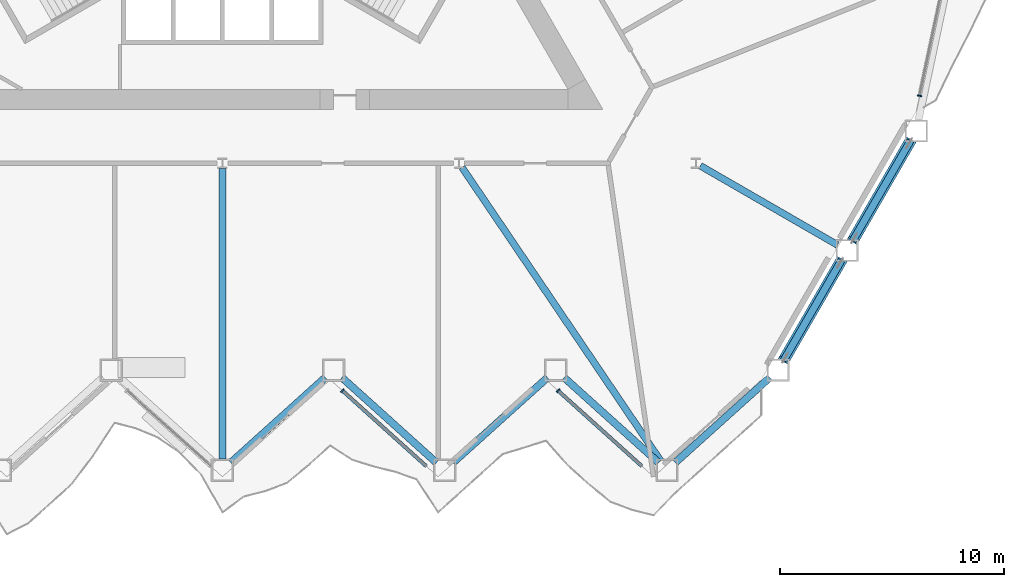
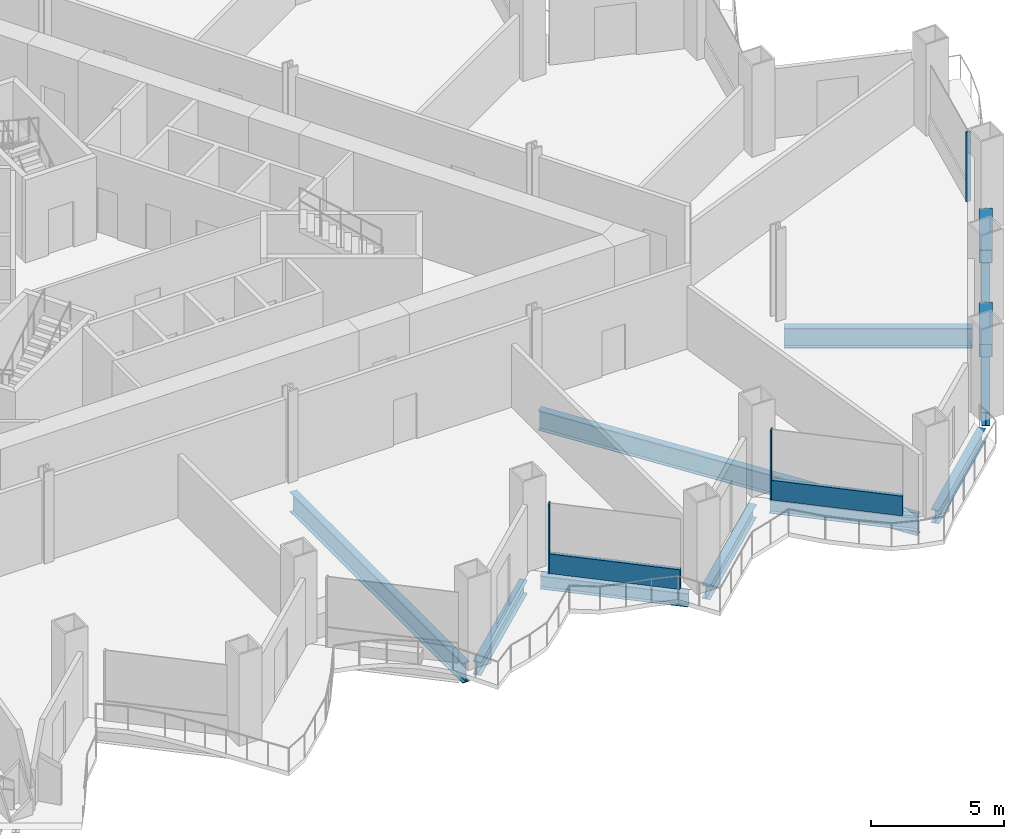
# One storey, part 4 of 20: 10 beams, 7 members, 3 elements without a shape of their own.
"""IFC4 building model written with IfcOpenShell, lengths in metres."""

from ifc_helpers import new_model, si_unit, direction, frame, origin, origin_2d, place, context, subcontext, project, spatial, rectangle, hollow_rectangle, i_section, extrude, material, layer, layer_set, material_profile, profile_set, type_object, element, aggregate, save


model = new_model("IFC4")

# Units and contexts
model_context = context("Model", 3, precision=1e-05, world=origin(), true_north=direction((0.0, 1.0)))
body_context = subcontext(model_context, "Body", "Model", "MODEL_VIEW")
ifc_project = project(units=[si_unit("LENGTHUNIT", "METRE"), si_unit("AREAUNIT", "SQUARE_METRE"), si_unit("VOLUMEUNIT", "CUBIC_METRE"), si_unit("PLANEANGLEUNIT", "RADIAN"), si_unit("MASSUNIT", "GRAM", prefix="KILO")], contexts=[model_context])

# Site, building, storey
site_placement = place(None, origin())
site = spatial("IfcSite", under=ifc_project, at=site_placement, CompositionType="ELEMENT")
building_placement = place(site_placement, origin())
building = spatial("IfcBuilding", under=site, at=building_placement, Name="Cormorant Prow Tower", CompositionType="ELEMENT")
storey_placement = place(building_placement, frame((0.0, 0.0, 34.199951171875)))
storey = spatial("IfcBuildingStorey", under=building, at=storey_placement, Name="L06", CompositionType="ELEMENT", Elevation=34.199951171875)

# Members
ifc_material_1 = material(Name="Structural steel ASTM A500 Gr C", Category="steel")
ifc_material_profile_1 = material_profile(ifc_material_1, hollow_rectangle(XDim=0.508056640625, YDim=0.508056640625, WallThickness=0.014892578125, at=origin_2d()), Name="HSS20x20x5/8")
ifc_profile_set_1 = profile_set([ifc_material_profile_1], Name="Structural steel ASTM A500 Gr C")
member_type_1 = type_object("IfcMemberType", Name="Chamfer brace HSS20x20x5/8", PredefinedType="BRACE", material=ifc_profile_set_1)
for number, where, z_axis, x_axis, name in (
    (1, (27.65576171875, -16.566162109375, 0.767333984375), (-0.475899695849, -0.824255918841, 0.306792535351), (0.866018434186, -0.500012071504, 0.0), "Chamfer brace BR1 at ESE00 L06"),
    (2, (30.74072265625, -11.222900390625, 0.767333984375), (-0.475881936113, -0.824270433724, 0.306781086395), (0.866030326616, -0.499991473309, 0.0), "Chamfer brace BR1 at ESE01 L06"),
):
    element("IfcMember", number, at=place(storey_placement, frame(where, z_axis=z_axis, x_axis=x_axis)), inside=storey, type_object=member_type_1, Name=name, PredefinedType="BRACE", context=body_context, shape_type="SweptSolid", body=[
        extrude(hollow_rectangle(XDim=0.508056640625, YDim=0.508056640625, WallThickness=0.014892578125, at=origin_2d()), origin(), (0.0, 0.0, 1.0), 5.392333984375),
    ])

# Curtain wall, member
ifc_material_2 = material(Name="Aluminium 6063-T6", Category="aluminium")
ifc_layer = layer(ifc_material_2, 0.199951171875)
ifc_layer_set = layer_set([ifc_layer], Name="Aluminium 6063-T6")
curtain_wall_type = type_object("IfcCurtainWallType", Name="Office unitised curtain wall 200", PredefinedType="NOTDEFINED", material=ifc_layer_set)
curtain_wall_1_placement = place(storey_placement, origin())
curtain_wall_1 = element("IfcCurtainWall", 3, at=curtain_wall_1_placement, inside=storey, type_object=curtain_wall_type, Name="Office curtain wall S06", PredefinedType="NOTDEFINED")
ifc_material_3 = material(Name="Aluminium 6063-T6", Category="aluminium")
ifc_material_profile_2 = material_profile(ifc_material_3, rectangle(XDim=0.199951171875, YDim=0.06005859375, at=origin_2d()), Name="Office mullion 60x200")
ifc_profile_set_2 = profile_set([ifc_material_profile_2], Name="Aluminium 6063-T6")
member_type_2 = type_object("IfcMemberType", Name="Office mullion 60x200", PredefinedType="MULLION", material=ifc_profile_set_2)
member_1_placement = place(storey_placement, frame((5.3623046875, -22.379150390625, 0.0), z_axis=(0.0, 0.0, 1.0), x_axis=(0.669130597396, 0.743144833547, 0.0)))
member_1 = element("IfcMember", 4, at=member_1_placement, type_object=member_type_2, Name="Office mullion S06", PredefinedType="MULLION", context=body_context, shape_type="SweptSolid", body=[
    extrude(rectangle(XDim=0.199951171875, YDim=0.06005859375, at=origin_2d()), origin(), (0.0, 0.0, 1.0), 3.18896484375),
])

curtain_wall_2_placement = place(storey_placement, origin())
curtain_wall_2 = element("IfcCurtainWall", 5, at=curtain_wall_2_placement, inside=storey, type_object=curtain_wall_type, Name="Office curtain wall S08", PredefinedType="NOTDEFINED")
member_2_placement = place(storey_placement, frame((14.997314453125, -22.379150390625, 0.0), z_axis=(0.0, 0.0, 1.0), x_axis=(0.669130597396, 0.743144833547, 0.0)))
member_2 = element("IfcMember", 6, at=member_2_placement, type_object=member_type_2, Name="Office mullion S08", PredefinedType="MULLION", context=body_context, shape_type="SweptSolid", body=[
    extrude(rectangle(XDim=0.199951171875, YDim=0.06005859375, at=origin_2d()), origin(), (0.0, 0.0, 1.0), 3.18896484375),
])

curtain_wall_3_placement = place(storey_placement, origin())
curtain_wall_3 = element("IfcCurtainWall", 7, at=curtain_wall_3_placement, inside=storey, type_object=curtain_wall_type, Name="Office curtain wall ENE00", PredefinedType="NOTDEFINED")
member_3_placement = place(storey_placement, frame((31.15234375, -9.19921875, 0.0), z_axis=(0.0, 0.0, 1.0), x_axis=(-0.978147585671, 0.207911761683, 0.0)))
member_3 = element("IfcMember", 8, at=member_3_placement, type_object=member_type_2, Name="Office mullion ENE00", PredefinedType="MULLION", context=body_context, shape_type="SweptSolid", body=[
    extrude(rectangle(XDim=0.199951171875, YDim=0.06005859375, at=origin_2d()), origin(), (0.0, 0.0, 1.0), 3.18896484375),
])
aggregate(curtain_wall_3, [member_3])

# Member
ifc_material_4 = material(Name="Terracotta", Category="masonry")
ifc_material_profile_3 = material_profile(ifc_material_4, rectangle(XDim=0.159912109375, YDim=0.89990234375, at=origin_2d()), Name="Office terracotta spandrel rail 160x900")
ifc_profile_set_3 = profile_set([ifc_material_profile_3], Name="Terracotta")
member_type_3 = type_object("IfcMemberType", Name="Office terracotta spandrel rail 160x900", PredefinedType="USERDEFINED", material=ifc_profile_set_3)
member_4_placement = place(storey_placement, frame((5.384521484375, -22.399169921875, 0.449951171875), z_axis=(0.743146523264, -0.66912872077, 0.0), x_axis=(0.66912872077, 0.743146523264, 0.0)))
member_4 = element("IfcMember", 9, at=member_4_placement, type_object=member_type_3, Name="Office spandrel rail S06", ObjectType="TRANSOM", PredefinedType="USERDEFINED", context=body_context, shape_type="SweptSolid", body=[
    extrude(rectangle(XDim=0.159912109375, YDim=0.89990234375, at=origin_2d()), origin(), (0.0, 0.0, 1.0), 5.016845703125),
])

aggregate(curtain_wall_1, [member_1, member_4])

member_5_placement = place(storey_placement, frame((15.019775390625, -22.399169921875, 0.449951171875), z_axis=(0.743124733633, -0.669152919938, 0.0), x_axis=(0.669152919938, 0.743124733633, 0.0)))
member_5 = element("IfcMember", 10, at=member_5_placement, type_object=member_type_3, Name="Office spandrel rail S08", ObjectType="TRANSOM", PredefinedType="USERDEFINED", context=body_context, shape_type="SweptSolid", body=[
    extrude(rectangle(XDim=0.159912109375, YDim=0.89990234375, at=origin_2d()), origin(), (0.0, 0.0, 1.0), 5.0166015625),
])

aggregate(curtain_wall_2, [member_2, member_5])

# Beams
ifc_material_5 = material(Name="Structural steel ASTM A992 Gr 50", Category="steel")
ifc_material_profile_4 = material_profile(ifc_material_5, i_section(OverallWidth=0.3046875, OverallDepth=0.914794921875, WebThickness=0.0166015625, FlangeThickness=0.02587890625, at=origin_2d()), Name="W36x160")
ifc_profile_set_4 = profile_set([ifc_material_profile_4], Name="Structural steel ASTM A992 Gr 50")
beam_type_1 = type_object("IfcBeamType", Name="Radial floor beam W36x160", PredefinedType="BEAM", material=ifc_profile_set_4)
beam_1_placement = place(storey_placement, frame((0.0, -12.447265625, -0.857421875), z_axis=(0.0, -1.0, 0.0), x_axis=(1.0, 0.0, 0.0)))
element("IfcBeam", 11, at=beam_1_placement, inside=storey, type_object=beam_type_1, Name="Radial floor beam FB1 7 L06", PredefinedType="BEAM", context=body_context, shape_type="SweptSolid", body=[
    extrude(i_section(OverallWidth=0.3046875, OverallDepth=0.914794921875, WebThickness=0.0166015625, FlangeThickness=0.02587890625, at=origin_2d()), origin(), (0.0, 0.0, 1.0), 12.984130859375),
])
beam_2_placement = place(storey_placement, frame((10.708740234375, -12.4072265625, -0.857421875), z_axis=(0.560597160775, -0.828088656685, 0.0), x_axis=(0.828088656685, 0.560597160775, 0.0)))
element("IfcBeam", 12, at=beam_2_placement, inside=storey, type_object=beam_type_1, Name="Radial floor beam FB1 8 L06", PredefinedType="BEAM", context=body_context, shape_type="SweptSolid", body=[
    extrude(i_section(OverallWidth=0.3046875, OverallDepth=0.914794921875, WebThickness=0.0166015625, FlangeThickness=0.02587890625, at=origin_2d()), origin(), (0.0, 0.0, 1.0), 15.831787109375),
])
beam_3_placement = place(storey_placement, frame((21.358154296875, -12.3310546875, -0.857421875), z_axis=(0.866014253463, -0.500019312426, 0.0), x_axis=(0.500019312426, 0.866014253463, 0.0)))
element("IfcBeam", 13, at=beam_3_placement, inside=storey, type_object=beam_type_1, Name="Radial floor beam FB1 9 L06", PredefinedType="BEAM", context=body_context, shape_type="SweptSolid", body=[
    extrude(i_section(OverallWidth=0.3046875, OverallDepth=0.914794921875, WebThickness=0.0166015625, FlangeThickness=0.02587890625, at=origin_2d()), origin(), (0.0, 0.0, 1.0), 7.071533203125),
])
ifc_material_6 = material(Name="Structural steel ASTM A992 Gr 50", Category="steel")
ifc_material_profile_5 = material_profile(ifc_material_6, i_section(OverallWidth=0.32373046875, OverallDepth=0.611083984375, WebThickness=0.0126953125, FlangeThickness=0.01904296875, at=origin_2d()), Name="W24x104")
ifc_profile_set_5 = profile_set([ifc_material_profile_5], Name="Structural steel ASTM A992 Gr 50")
beam_type_2 = type_object("IfcBeamType", Name="Spandrel beam W24x104", PredefinedType="SPANDREL", material=ifc_profile_set_5)
for number, where, z_axis, x_axis, name in (
    (14, (0.37158203125, -25.596923828125, -0.70556640625), (0.743129630386, 0.669147481833, 0.0), (-0.669147481833, 0.743129630386, 0.0), "Spandrel beam SB1 S05-S06 L06"),
    (15, (5.337646484375, -21.79443359375, -0.70556640625), (0.743129630386, -0.669147481833, 0.0), (0.669147481833, 0.743129630386, 0.0), "Spandrel beam SB1 S06-S07 L06"),
    (16, (10.3037109375, -25.596923828125, -0.70556640625), (0.743129630386, 0.669147481833, 0.0), (-0.669147481833, 0.743129630386, 0.0), "Spandrel beam SB1 S07-S08 L06"),
    (17, (15.269775390625, -21.79443359375, -0.70556640625), (0.743129630386, -0.669147481833, 0.0), (0.669147481833, 0.743129630386, 0.0), "Spandrel beam SB1 S08-S09 L06"),
    (18, (20.23583984375, -25.596923828125, -0.70556640625), (0.743129630386, 0.669147481833, 0.0), (-0.669147481833, 0.743129630386, 0.0), "Spandrel beam SB1 S09-ESE00 L06"),
):
    element("IfcBeam", number, at=place(storey_placement, frame(where, z_axis=z_axis, x_axis=x_axis)), inside=storey, type_object=beam_type_2, Name=name, PredefinedType="SPANDREL", context=body_context, shape_type="SweptSolid", body=[
        extrude(i_section(OverallWidth=0.32373046875, OverallDepth=0.611083984375, WebThickness=0.0126953125, FlangeThickness=0.01904296875, at=origin_2d()), origin(), (0.0, 0.0, 1.0), 5.6826171875),
    ])
for number, where, z_axis, x_axis, name in (
    (19, (25.080322265625, -21.02685546875, -0.70556640625), (0.500019507279, 0.866014140959, 0.0), (-0.866014140959, 0.500019507279, 0.0), "Spandrel beam SB1 ESE00-ESE01 L06"),
    (20, (28.165283203125, -15.683837890625, -0.70556640625), (0.49998408811, 0.866034590324, 0.0), (-0.866034590324, 0.49998408811, 0.0), "Spandrel beam SB1 ESE01-ENE00 L06"),
):
    element("IfcBeam", number, at=place(storey_placement, frame(where, z_axis=z_axis, x_axis=x_axis)), inside=storey, type_object=beam_type_2, Name=name, PredefinedType="SPANDREL", context=body_context, shape_type="SweptSolid", body=[
        extrude(i_section(OverallWidth=0.32373046875, OverallDepth=0.611083984375, WebThickness=0.0126953125, FlangeThickness=0.01904296875, at=origin_2d()), origin(), (0.0, 0.0, 1.0), 5.169677734375),
    ])

save(model, "model.ifc")
